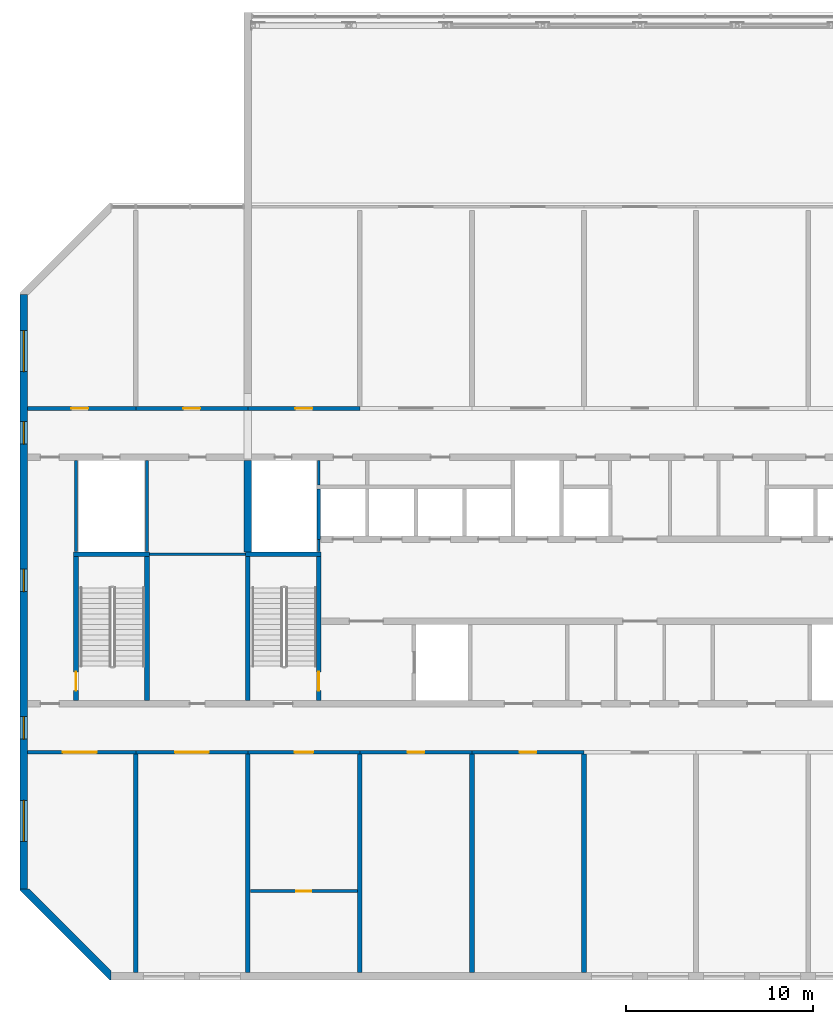
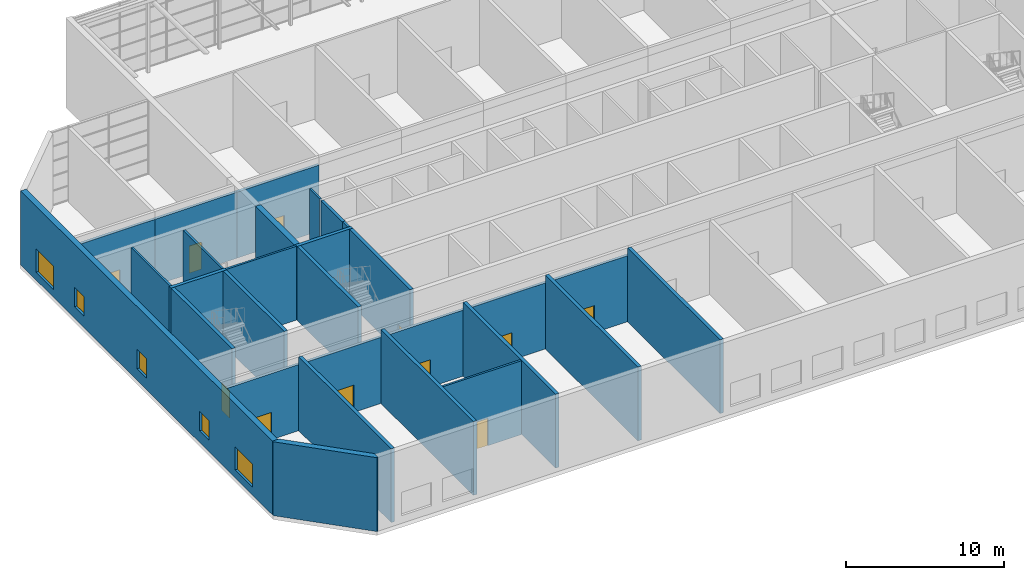
# One storey, part 10 of 17: 29 walls, 11 doors, 5 windows, 16 openings.
"""IFC4 building model written with IfcOpenShell, lengths in metres."""

from ifc_helpers import new_model, si_unit, direction, frame, frame_2d, origin, place, context, subcontext, project, spatial, polyline, rectangle, outline, extrude, material, layer, layer_set, type_object, element, fill, save


model = new_model("IFC4")

# Units and contexts
model_context = context("Model", 3, precision=1e-05, world=origin(), true_north=direction((0.0, 1.0)))
body_context = subcontext(model_context, "Body", "Model", "MODEL_VIEW")
ifc_project = project(units=[si_unit("LENGTHUNIT", "METRE"), si_unit("AREAUNIT", "SQUARE_METRE"), si_unit("VOLUMEUNIT", "CUBIC_METRE"), si_unit("PLANEANGLEUNIT", "RADIAN"), si_unit("MASSUNIT", "GRAM", prefix="KILO")], contexts=[model_context])

# Site, building, storey
site_placement = place(None, origin())
site = spatial("IfcSite", under=ifc_project, at=site_placement, CompositionType="ELEMENT")
building_placement = place(site_placement, origin())
building = spatial("IfcBuilding", under=site, at=building_placement, Name="Poui Terraces", CompositionType="ELEMENT")
storey_placement = place(building_placement, frame((0.0, 0.0, 261.0)))
storey = spatial("IfcBuildingStorey", under=building, at=storey_placement, Name="L73", CompositionType="ELEMENT", Elevation=261.0)

# Wall
ifc_material_1 = material(Name="Concrete 50 MPa", Category="concrete")
ifc_layer_1 = layer(ifc_material_1, 0.39990234375)
ifc_layer_set_1 = layer_set([ifc_layer_1], Name="Concrete 50 MPa")
wall_type_1 = type_object("IfcWallType", Name="CORE WALL 400 50 MPA", PredefinedType="SOLIDWALL", material=ifc_layer_set_1)
wall_1_placement = place(storey_placement, frame((30.0, 22.72509765625, 0.0), z_axis=(0.0, 0.0, 1.0), x_axis=(0.0, 1.0, 0.0)))
element("IfcWall", 1, at=wall_1_placement, inside=storey, type_object=wall_type_1, Name="CORE WALL", PredefinedType="SOLIDWALL", context=body_context, shape_type="SweptSolid", body=[
    extrude(rectangle(XDim=4.89990234375, YDim=0.39990234375, at=frame_2d((2.449951171875, 0.0))), origin(), (0.0, 0.0, 1.0), 5.699951171875),
])

# Wall, opening, door
ifc_layer_2 = layer(ifc_material_1, 0.199951171875)
ifc_layer_set_2 = layer_set([ifc_layer_2], Name="Concrete 50 MPa")
wall_type_2 = type_object("IfcWallType", Name="CORRIDOR WALL 200 50MPa", PredefinedType="SHEAR", material=ifc_layer_set_2)
wall_2_placement = place(storey_placement, frame((18.199951171875, 12.0, 0.0), z_axis=(0.0, 0.0, 1.0), x_axis=(1.0, 0.0, 0.0)))
wall_2 = element("IfcWall", 2, at=wall_2_placement, inside=storey, type_object=wall_type_2, Name="CORRIDOR WALL LINE B BAY 1", PredefinedType="SHEAR", context=body_context, shape_type="SweptSolid", body=[
    extrude(rectangle(XDim=5.800048828125, YDim=0.199951171875, at=frame_2d((2.89990234375, 0.0))), origin(), (0.0, 0.0, 1.0), 5.10009765625),
])
opening_1_placement = place(wall_2_placement, frame((1.89990234375, 0.0, 0.0)))
opening_1 = element("IfcOpeningElement", 3, at=opening_1_placement, cuts=wall_2, Name="Opening DD180", PredefinedType="OPENING", context=body_context, shape_type="SweptSolid", body=[
    extrude(rectangle(XDim=1.800048828125, YDim=2.10009765625, at=frame_2d((0.89990234375, 1.050048828125))), frame((0.0, 0.10986328125, 0.0), z_axis=(0.0, -1.0, 0.0), x_axis=(1.0, 0.0, 0.0)), (0.0, 0.0, 1.0), 0.219970703125),
])
ifc_material_2 = material(Name="Steel fire door", Category="steel")
door_type_1 = type_object("IfcDoorType", Name="DOUBLE INTERNAL DOOR 1800 X 2100", OperationType="DOUBLE_DOOR_SINGLE_SWING", PredefinedType="DOOR", material=ifc_material_2)
door_1_placement = place(opening_1_placement, origin())
door_1 = element("IfcDoor", 4, at=door_1_placement, inside=storey, type_object=door_type_1, Name="DOUBLE INTERNAL DOOR 030", OperationType="DOUBLE_DOOR_SINGLE_SWING", OverallHeight=2.10009765625, OverallWidth=1.800048828125, PredefinedType="DOOR", context=body_context, shape_type="SweptSolid", body=[
    extrude(rectangle(XDim=1.800048828125, YDim=2.10009765625, at=frame_2d((0.89990234375, 1.050048828125))), frame((0.0, 0.02490234375, 0.0), z_axis=(0.0, -1.0, 0.0), x_axis=(1.0, 0.0, 0.0)), (0.0, 0.0, 1.0), 0.050048828125),
])
fill(opening_1, door_1)

wall_3_placement = place(storey_placement, frame((24.0, 12.0, 0.0), z_axis=(0.0, 0.0, 1.0), x_axis=(1.0, 0.0, 0.0)))
wall_3 = element("IfcWall", 5, at=wall_3_placement, inside=storey, type_object=wall_type_2, Name="CORRIDOR WALL LINE B BAY 2", PredefinedType="SHEAR", context=body_context, shape_type="SweptSolid", body=[
    extrude(rectangle(XDim=6.0, YDim=0.199951171875, at=frame_2d((3.0, 0.0))), origin(), (0.0, 0.0, 1.0), 5.10009765625),
])
opening_2_placement = place(wall_3_placement, frame((2.10009765625, 0.0, 0.0)))
opening_2 = element("IfcOpeningElement", 6, at=opening_2_placement, cuts=wall_3, Name="Opening DD180", PredefinedType="OPENING", context=body_context, shape_type="SweptSolid", body=[
    extrude(rectangle(XDim=1.800048828125, YDim=2.10009765625, at=frame_2d((0.89990234375, 1.050048828125))), frame((0.0, 0.10986328125, 0.0), z_axis=(0.0, -1.0, 0.0), x_axis=(1.0, 0.0, 0.0)), (0.0, 0.0, 1.0), 0.219970703125),
])
door_2_placement = place(opening_2_placement, origin())
door_2 = element("IfcDoor", 7, at=door_2_placement, inside=storey, type_object=door_type_1, Name="DOUBLE INTERNAL DOOR 031", OperationType="DOUBLE_DOOR_SINGLE_SWING", OverallHeight=2.10009765625, OverallWidth=1.800048828125, PredefinedType="DOOR", context=body_context, shape_type="SweptSolid", body=[
    extrude(rectangle(XDim=1.800048828125, YDim=2.10009765625, at=frame_2d((0.89990234375, 1.050048828125))), frame((0.0, 0.02490234375, 0.0), z_axis=(0.0, -1.0, 0.0), x_axis=(1.0, 0.0, 0.0)), (0.0, 0.0, 1.0), 0.050048828125),
])
fill(opening_2, door_2)

wall_4_placement = place(storey_placement, frame((30.0, 12.0, 0.0), z_axis=(0.0, 0.0, 1.0), x_axis=(1.0, 0.0, 0.0)))
wall_4 = element("IfcWall", 8, at=wall_4_placement, inside=storey, type_object=wall_type_2, Name="CORRIDOR WALL LINE B BAY 3", PredefinedType="SHEAR", context=body_context, shape_type="SweptSolid", body=[
    extrude(rectangle(XDim=6.0, YDim=0.199951171875, at=frame_2d((3.0, 0.0))), origin(), (0.0, 0.0, 1.0), 5.10009765625),
])
opening_3_placement = place(wall_4_placement, frame((2.5, 0.0, 0.0)))
opening_3 = element("IfcOpeningElement", 9, at=opening_3_placement, cuts=wall_4, Name="Opening D100", PredefinedType="OPENING", context=body_context, shape_type="SweptSolid", body=[
    extrude(rectangle(XDim=1.0, YDim=2.10009765625, at=frame_2d((0.5, 1.050048828125))), frame((0.0, 0.10986328125, 0.0), z_axis=(0.0, -1.0, 0.0), x_axis=(1.0, 0.0, 0.0)), (0.0, 0.0, 1.0), 0.219970703125),
])
ifc_material_3 = material(Name="Solid core timber door", Category="wood")
door_type_2 = type_object("IfcDoorType", Name="ACCESSIBLE INTERNAL DOOR 1000 X 2100", OperationType="NOTDEFINED", PredefinedType="DOOR", material=ifc_material_3)
door_3_placement = place(opening_3_placement, origin())
door_3 = element("IfcDoor", 10, at=door_3_placement, inside=storey, type_object=door_type_2, Name="ACCESSIBLE INTERNAL DOOR 034", OperationType="SINGLE_SWING_RIGHT", OverallHeight=2.10009765625, OverallWidth=1.0, PredefinedType="DOOR", context=body_context, shape_type="SweptSolid", body=[
    extrude(rectangle(XDim=1.0, YDim=2.10009765625, at=frame_2d((0.5, 1.050048828125))), frame((0.0, 0.02490234375, 0.0), z_axis=(0.0, -1.0, 0.0), x_axis=(1.0, 0.0, 0.0)), (0.0, 0.0, 1.0), 0.050048828125),
])
fill(opening_3, door_3)

wall_5_placement = place(storey_placement, frame((36.0, 12.0, 0.0), z_axis=(0.0, 0.0, 1.0), x_axis=(1.0, 0.0, 0.0)))
wall_5 = element("IfcWall", 11, at=wall_5_placement, inside=storey, type_object=wall_type_2, Name="CORRIDOR WALL LINE B BAY 4", PredefinedType="SHEAR", context=body_context, shape_type="SweptSolid", body=[
    extrude(rectangle(XDim=6.0, YDim=0.199951171875, at=frame_2d((3.0, 0.0))), origin(), (0.0, 0.0, 1.0), 5.10009765625),
])
opening_4_placement = place(wall_5_placement, frame((2.550048828125, 0.0, 0.0)))
opening_4 = element("IfcOpeningElement", 12, at=opening_4_placement, cuts=wall_5, Name="Opening D90", PredefinedType="OPENING", context=body_context, shape_type="SweptSolid", body=[
    extrude(rectangle(XDim=0.89990234375, YDim=2.10009765625, at=frame_2d((0.449951171875, 1.050048828125))), frame((0.0, 0.10986328125, 0.0), z_axis=(0.0, -1.0, 0.0), x_axis=(1.0, 0.0, 0.0)), (0.0, 0.0, 1.0), 0.219970703125),
])
door_type_3 = type_object("IfcDoorType", Name="INTERNAL DOOR 900 X 2100", OperationType="NOTDEFINED", PredefinedType="DOOR", material=ifc_material_3)
door_4_placement = place(opening_4_placement, origin())
door_4 = element("IfcDoor", 13, at=door_4_placement, inside=storey, type_object=door_type_3, Name="INTERNAL DOOR 035", OperationType="SINGLE_SWING_LEFT", OverallHeight=2.10009765625, OverallWidth=0.89990234375, PredefinedType="DOOR", context=body_context, shape_type="SweptSolid", body=[
    extrude(rectangle(XDim=0.89990234375, YDim=2.10009765625, at=frame_2d((0.449951171875, 1.050048828125))), frame((0.0, 0.02490234375, 0.0), z_axis=(0.0, -1.0, 0.0), x_axis=(1.0, 0.0, 0.0)), (0.0, 0.0, 1.0), 0.050048828125),
])
fill(opening_4, door_4)

wall_6_placement = place(storey_placement, frame((42.0, 12.0, 0.0), z_axis=(0.0, 0.0, 1.0), x_axis=(1.0, 0.0, 0.0)))
wall_6 = element("IfcWall", 14, at=wall_6_placement, inside=storey, type_object=wall_type_2, Name="CORRIDOR WALL LINE B BAY 5", PredefinedType="SHEAR", context=body_context, shape_type="SweptSolid", body=[
    extrude(rectangle(XDim=6.0, YDim=0.199951171875, at=frame_2d((3.0, 0.0))), origin(), (0.0, 0.0, 1.0), 5.10009765625),
])
opening_5_placement = place(wall_6_placement, frame((2.550048828125, 0.0, 0.0)))
opening_5 = element("IfcOpeningElement", 15, at=opening_5_placement, cuts=wall_6, Name="Opening D90", PredefinedType="OPENING", context=body_context, shape_type="SweptSolid", body=[
    extrude(rectangle(XDim=0.89990234375, YDim=2.10009765625, at=frame_2d((0.449951171875, 1.050048828125))), frame((0.0, 0.10986328125, 0.0), z_axis=(0.0, -1.0, 0.0), x_axis=(1.0, 0.0, 0.0)), (0.0, 0.0, 1.0), 0.219970703125),
])
door_5_placement = place(opening_5_placement, origin())
door_5 = element("IfcDoor", 16, at=door_5_placement, inside=storey, type_object=door_type_3, Name="INTERNAL DOOR 037", OperationType="SINGLE_SWING_RIGHT", OverallHeight=2.10009765625, OverallWidth=0.89990234375, PredefinedType="DOOR", context=body_context, shape_type="SweptSolid", body=[
    extrude(rectangle(XDim=0.89990234375, YDim=2.10009765625, at=frame_2d((0.449951171875, 1.050048828125))), frame((0.0, 0.02490234375, 0.0), z_axis=(0.0, -1.0, 0.0), x_axis=(1.0, 0.0, 0.0)), (0.0, 0.0, 1.0), 0.050048828125),
])
fill(opening_5, door_5)

wall_7_placement = place(storey_placement, frame((18.199951171875, 30.39990234375, 0.0), z_axis=(0.0, 0.0, 1.0), x_axis=(1.0, 0.0, 0.0)))
wall_7 = element("IfcWall", 17, at=wall_7_placement, inside=storey, type_object=wall_type_2, Name="CORRIDOR WALL LINE E BAY 1", PredefinedType="SHEAR", context=body_context, shape_type="SweptSolid", body=[
    extrude(rectangle(XDim=5.800048828125, YDim=0.199951171875, at=frame_2d((2.89990234375, 0.0))), origin(), (0.0, 0.0, 1.0), 5.10009765625),
])
opening_6_placement = place(wall_7_placement, frame((2.35009765625, 0.0, 0.0)))
opening_6 = element("IfcOpeningElement", 18, at=opening_6_placement, cuts=wall_7, Name="Opening D90", PredefinedType="OPENING", context=body_context, shape_type="SweptSolid", body=[
    extrude(rectangle(XDim=0.89990234375, YDim=2.10009765625, at=frame_2d((0.449951171875, 1.050048828125))), frame((0.0, 0.10986328125, 0.0), z_axis=(0.0, -1.0, 0.0), x_axis=(1.0, 0.0, 0.0)), (0.0, 0.0, 1.0), 0.219970703125),
])
door_6_placement = place(opening_6_placement, frame((0.89990234375, 0.0, 0.0), z_axis=(0.0, 0.0, 1.0), x_axis=(-1.0, 0.0, 0.0)))
door_6 = element("IfcDoor", 19, at=door_6_placement, inside=storey, type_object=door_type_3, Name="INTERNAL DOOR 002", OperationType="SINGLE_SWING_LEFT", OverallHeight=2.10009765625, OverallWidth=0.89990234375, PredefinedType="DOOR", context=body_context, shape_type="SweptSolid", body=[
    extrude(rectangle(XDim=0.89990234375, YDim=2.10009765625, at=frame_2d((0.449951171875, 1.050048828125))), frame((0.0, 0.02490234375, 0.0), z_axis=(0.0, -1.0, 0.0), x_axis=(1.0, 0.0, 0.0)), (0.0, 0.0, 1.0), 0.050048828125),
])
fill(opening_6, door_6)

wall_8_placement = place(storey_placement, frame((24.0, 30.39990234375, 0.0), z_axis=(0.0, 0.0, 1.0), x_axis=(1.0, 0.0, 0.0)))
wall_8 = element("IfcWall", 20, at=wall_8_placement, inside=storey, type_object=wall_type_2, Name="CORRIDOR WALL LINE E BAY 2", PredefinedType="SHEAR", context=body_context, shape_type="SweptSolid", body=[
    extrude(rectangle(XDim=6.0, YDim=0.199951171875, at=frame_2d((3.0, 0.0))), origin(), (0.0, 0.0, 1.0), 5.10009765625),
])
opening_7_placement = place(wall_8_placement, frame((2.550048828125, 0.0, 0.0)))
opening_7 = element("IfcOpeningElement", 21, at=opening_7_placement, cuts=wall_8, Name="Opening D90", PredefinedType="OPENING", context=body_context, shape_type="SweptSolid", body=[
    extrude(rectangle(XDim=0.89990234375, YDim=2.10009765625, at=frame_2d((0.449951171875, 1.050048828125))), frame((0.0, 0.10986328125, 0.0), z_axis=(0.0, -1.0, 0.0), x_axis=(1.0, 0.0, 0.0)), (0.0, 0.0, 1.0), 0.219970703125),
])
door_7_placement = place(opening_7_placement, frame((0.89990234375, 0.0, 0.0), z_axis=(0.0, 0.0, 1.0), x_axis=(-1.0, 0.0, 0.0)))
door_7 = element("IfcDoor", 22, at=door_7_placement, inside=storey, type_object=door_type_3, Name="INTERNAL DOOR 004", OperationType="SINGLE_SWING_RIGHT", OverallHeight=2.10009765625, OverallWidth=0.89990234375, PredefinedType="DOOR", context=body_context, shape_type="SweptSolid", body=[
    extrude(rectangle(XDim=0.89990234375, YDim=2.10009765625, at=frame_2d((0.449951171875, 1.050048828125))), frame((0.0, 0.02490234375, 0.0), z_axis=(0.0, -1.0, 0.0), x_axis=(1.0, 0.0, 0.0)), (0.0, 0.0, 1.0), 0.050048828125),
])
fill(opening_7, door_7)

wall_9_placement = place(storey_placement, frame((30.0, 30.39990234375, 0.0), z_axis=(0.0, 0.0, 1.0), x_axis=(1.0, 0.0, 0.0)))
wall_9 = element("IfcWall", 23, at=wall_9_placement, inside=storey, type_object=wall_type_2, Name="CORRIDOR WALL LINE E BAY 3", PredefinedType="SHEAR", context=body_context, shape_type="SweptSolid", body=[
    extrude(rectangle(XDim=6.0, YDim=0.199951171875, at=frame_2d((3.0, 0.0))), origin(), (0.0, 0.0, 1.0), 5.10009765625),
])
opening_8_placement = place(wall_9_placement, frame((2.550048828125, 0.0, 0.0)))
opening_8 = element("IfcOpeningElement", 24, at=opening_8_placement, cuts=wall_9, Name="Opening D90", PredefinedType="OPENING", context=body_context, shape_type="SweptSolid", body=[
    extrude(rectangle(XDim=0.89990234375, YDim=2.10009765625, at=frame_2d((0.449951171875, 1.050048828125))), frame((0.0, 0.10986328125, 0.0), z_axis=(0.0, -1.0, 0.0), x_axis=(1.0, 0.0, 0.0)), (0.0, 0.0, 1.0), 0.219970703125),
])
door_8_placement = place(opening_8_placement, frame((0.89990234375, 0.0, 0.0), z_axis=(0.0, 0.0, 1.0), x_axis=(-1.0, 0.0, 0.0)))
door_8 = element("IfcDoor", 25, at=door_8_placement, inside=storey, type_object=door_type_3, Name="INTERNAL DOOR 007", OperationType="SINGLE_SWING_LEFT", OverallHeight=2.10009765625, OverallWidth=0.89990234375, PredefinedType="DOOR", context=body_context, shape_type="SweptSolid", body=[
    extrude(rectangle(XDim=0.89990234375, YDim=2.10009765625, at=frame_2d((0.449951171875, 1.050048828125))), frame((0.0, 0.02490234375, 0.0), z_axis=(0.0, -1.0, 0.0), x_axis=(1.0, 0.0, 0.0)), (0.0, 0.0, 1.0), 0.050048828125),
])
fill(opening_8, door_8)

# Walls
ifc_layer_3 = layer(ifc_material_1, 0.25)
ifc_layer_set_3 = layer_set([ifc_layer_3], Name="Concrete 50 MPa")
wall_type_3 = type_object("IfcWallType", Name="CROSS WALL 250 50MPa", PredefinedType="SHEAR", material=ifc_layer_set_3)
for number, where, z_axis, x_axis, name in (
    (26, (24.0, 0.199951171875, 0.0), (0.0, 0.0, 1.0), (0.0, 1.0, 0.0), "CROSS WALL LINE 5 SOUTH"),
    (27, (30.0, 0.199951171875, 0.0), (0.0, 0.0, 1.0), (0.0, 1.0, 0.0), "CROSS WALL LINE 6 SOUTH"),
    (28, (36.0, 0.199951171875, 0.0), (0.0, 0.0, 1.0), (0.0, 1.0, 0.0), "CROSS WALL LINE 7 SOUTH"),
    (29, (42.0, 0.199951171875, 0.0), (0.0, 0.0, 1.0), (0.0, 1.0, 0.0), "CROSS WALL LINE 8 SOUTH"),
    (30, (48.0, 0.199951171875, 0.0), (0.0, 0.0, 1.0), (0.0, 1.0, 0.0), "CROSS WALL LINE 9 SOUTH"),
):
    element("IfcWall", number, at=place(storey_placement, frame(where, z_axis=z_axis, x_axis=x_axis)), inside=storey, type_object=wall_type_3, Name=name, PredefinedType="SHEAR", context=body_context, shape_type="SweptSolid", body=[
        extrude(rectangle(XDim=11.699951171875, YDim=0.25, at=frame_2d((5.85009765625, 0.0))), origin(), (0.0, 0.0, 1.0), 5.699951171875),
    ])

# Wall, openings, windows
ifc_layer_4 = layer(ifc_material_1, 0.39990234375)
ifc_layer_set_4 = layer_set([ifc_layer_4], Name="Concrete 50 MPa")
wall_type_4 = type_object("IfcWallType", Name="END WALL 400 50MPa", PredefinedType="SHEAR", material=ifc_layer_set_4)
wall_10_placement = place(storey_placement, frame((18.0, 4.682861328125, 0.0), z_axis=(0.0, 0.0, 1.0), x_axis=(0.0, 1.0, 0.0)))
wall_10 = element("IfcWall", 31, at=wall_10_placement, inside=storey, type_object=wall_type_4, Name="END WALL WEST", PredefinedType="SHEAR", context=body_context, shape_type="SweptSolid", body=[
    extrude(rectangle(XDim=31.834228515625, YDim=0.39990234375, at=frame_2d((15.9169921875, 0.0))), origin(), (0.0, 0.0, 1.0), 5.699951171875),
])
opening_9_placement = place(wall_10_placement, frame((23.817138671875, 0.0, 0.89990234375)))
opening_9 = element("IfcOpeningElement", 32, at=opening_9_placement, cuts=wall_10, Name="Opening W2", PredefinedType="OPENING", context=body_context, shape_type="SweptSolid", body=[
    extrude(rectangle(XDim=1.199951171875, YDim=1.5, at=frame_2d((0.60009765625, 0.75))), frame((0.0, 0.2099609375, 0.0), z_axis=(0.0, -1.0, 0.0), x_axis=(1.0, 0.0, 0.0)), (0.0, 0.0, 1.0), 0.419921875),
])
opening_10_placement = place(wall_10_placement, frame((8.01708984375, 0.0, 0.89990234375)))
opening_10 = element("IfcOpeningElement", 33, at=opening_10_placement, cuts=wall_10, Name="Opening W2", PredefinedType="OPENING", context=body_context, shape_type="SweptSolid", body=[
    extrude(rectangle(XDim=1.199951171875, YDim=1.5, at=frame_2d((0.60009765625, 0.75))), frame((0.0, 0.2099609375, 0.0), z_axis=(0.0, -1.0, 0.0), x_axis=(1.0, 0.0, 0.0)), (0.0, 0.0, 1.0), 0.419921875),
])
opening_11_placement = place(wall_10_placement, frame((27.693603515625, 0.0, 0.60009765625)))
opening_11 = element("IfcOpeningElement", 34, at=opening_11_placement, cuts=wall_10, Name="Opening W3", PredefinedType="OPENING", context=body_context, shape_type="SweptSolid", body=[
    extrude(rectangle(XDim=2.199951171875, YDim=1.800048828125, at=frame_2d((1.10009765625, 0.89990234375))), frame((0.0, 0.2099609375, 0.0), z_axis=(0.0, -1.0, 0.0), x_axis=(1.0, 0.0, 0.0)), (0.0, 0.0, 1.0), 0.419921875),
])
opening_12_placement = place(wall_10_placement, frame((2.541015625, 0.0, 0.60009765625)))
opening_12 = element("IfcOpeningElement", 35, at=opening_12_placement, cuts=wall_10, Name="Opening W3", PredefinedType="OPENING", context=body_context, shape_type="SweptSolid", body=[
    extrude(rectangle(XDim=2.199951171875, YDim=1.800048828125, at=frame_2d((1.10009765625, 0.89990234375))), frame((0.0, 0.2099609375, 0.0), z_axis=(0.0, -1.0, 0.0), x_axis=(1.0, 0.0, 0.0)), (0.0, 0.0, 1.0), 0.419921875),
])
opening_13_placement = place(wall_10_placement, frame((15.917236328125, 0.0, 0.89990234375)))
opening_13 = element("IfcOpeningElement", 36, at=opening_13_placement, cuts=wall_10, Name="Opening W2", PredefinedType="OPENING", context=body_context, shape_type="SweptSolid", body=[
    extrude(rectangle(XDim=1.199951171875, YDim=1.5, at=frame_2d((0.60009765625, 0.75))), frame((0.0, 0.2099609375, 0.0), z_axis=(0.0, -1.0, 0.0), x_axis=(1.0, 0.0, 0.0)), (0.0, 0.0, 1.0), 0.419921875),
])
ifc_material_4 = material(Name="Clear glass in aluminium frame", Category="aluminium")
window_type_1 = type_object("IfcWindowType", Name="WINDOW 1200X1500", PartitioningType="SINGLE_PANEL", PredefinedType="WINDOW", material=ifc_material_4)
window_1_placement = place(opening_9_placement, origin())
window_1 = element("IfcWindow", 37, at=window_1_placement, inside=storey, type_object=window_type_1, Name="W2 WINDOW", OverallHeight=1.5, OverallWidth=1.199951171875, PartitioningType="SINGLE_PANEL", PredefinedType="WINDOW", context=body_context, shape_type="SweptSolid", body=[
    extrude(rectangle(XDim=1.199951171875, YDim=1.5, at=frame_2d((0.60009765625, 0.75))), frame((0.0, 0.030029296875, 0.0), z_axis=(0.0, -1.0, 0.0), x_axis=(1.0, 0.0, 0.0)), (0.0, 0.0, 1.0), 0.06005859375),
])
fill(opening_9, window_1)
window_2_placement = place(opening_10_placement, origin())
window_2 = element("IfcWindow", 38, at=window_2_placement, inside=storey, type_object=window_type_1, Name="W2 WINDOW", OverallHeight=1.5, OverallWidth=1.199951171875, PartitioningType="SINGLE_PANEL", PredefinedType="WINDOW", context=body_context, shape_type="SweptSolid", body=[
    extrude(rectangle(XDim=1.199951171875, YDim=1.5, at=frame_2d((0.60009765625, 0.75))), frame((0.0, 0.030029296875, 0.0), z_axis=(0.0, -1.0, 0.0), x_axis=(1.0, 0.0, 0.0)), (0.0, 0.0, 1.0), 0.06005859375),
])
fill(opening_10, window_2)
window_3_placement = place(opening_13_placement, origin())
window_3 = element("IfcWindow", 39, at=window_3_placement, inside=storey, type_object=window_type_1, Name="W2 WINDOW", OverallHeight=1.5, OverallWidth=1.199951171875, PartitioningType="SINGLE_PANEL", PredefinedType="WINDOW", context=body_context, shape_type="SweptSolid", body=[
    extrude(rectangle(XDim=1.199951171875, YDim=1.5, at=frame_2d((0.60009765625, 0.75))), frame((0.0, 0.030029296875, 0.0), z_axis=(0.0, -1.0, 0.0), x_axis=(1.0, 0.0, 0.0)), (0.0, 0.0, 1.0), 0.06005859375),
])
fill(opening_13, window_3)
window_type_2 = type_object("IfcWindowType", Name="WINDOW 2200X1800", PartitioningType="DOUBLE_PANEL_HORIZONTAL", PredefinedType="WINDOW", material=ifc_material_4)
window_4_placement = place(opening_11_placement, origin())
window_4 = element("IfcWindow", 40, at=window_4_placement, inside=storey, type_object=window_type_2, Name="W3 WINDOW", OverallHeight=1.800048828125, OverallWidth=2.199951171875, PartitioningType="DOUBLE_PANEL_HORIZONTAL", PredefinedType="WINDOW", context=body_context, shape_type="SweptSolid", body=[
    extrude(rectangle(XDim=2.199951171875, YDim=1.800048828125, at=frame_2d((1.10009765625, 0.89990234375))), frame((0.0, 0.030029296875, 0.0), z_axis=(0.0, -1.0, 0.0), x_axis=(1.0, 0.0, 0.0)), (0.0, 0.0, 1.0), 0.06005859375),
])
fill(opening_11, window_4)
window_5_placement = place(opening_12_placement, origin())
window_5 = element("IfcWindow", 41, at=window_5_placement, inside=storey, type_object=window_type_2, Name="W3 WINDOW", OverallHeight=1.800048828125, OverallWidth=2.199951171875, PartitioningType="DOUBLE_PANEL_HORIZONTAL", PredefinedType="WINDOW", context=body_context, shape_type="SweptSolid", body=[
    extrude(rectangle(XDim=2.199951171875, YDim=1.800048828125, at=frame_2d((1.10009765625, 0.89990234375))), frame((0.0, 0.030029296875, 0.0), z_axis=(0.0, -1.0, 0.0), x_axis=(1.0, 0.0, 0.0)), (0.0, 0.0, 1.0), 0.06005859375),
])
fill(opening_12, window_5)

# Wall, opening, door
ifc_material_5 = material(Name="Plasterboard partition")
ifc_layer_5 = layer(ifc_material_5, 0.14990234375)
ifc_layer_set_5 = layer_set([ifc_layer_5], Name="Plasterboard partition")
wall_type_5 = type_object("IfcWallType", Name="PARTITION WALL 150", PredefinedType="PARTITIONING", material=ifc_layer_set_5)
wall_11_placement = place(storey_placement, frame((30.135009765625, 4.56005859375, 0.0), z_axis=(0.0, 0.0, 1.0), x_axis=(1.0, 0.0, 0.0)))
wall_11 = element("IfcWall", 42, at=wall_11_placement, inside=storey, type_object=wall_type_5, Name="PARTITION WALL 150", PredefinedType="PARTITIONING", context=body_context, shape_type="SweptSolid", body=[
    extrude(rectangle(XDim=5.72998046875, YDim=0.14990234375, at=frame_2d((2.864990234375, 0.0))), origin(), (0.0, 0.0, 1.0), 5.699951171875),
])
opening_14_placement = place(wall_11_placement, frame((2.465087890625, 0.0, 0.0)))
opening_14 = element("IfcOpeningElement", 43, at=opening_14_placement, cuts=wall_11, Name="Opening D80", PredefinedType="OPENING", context=body_context, shape_type="SweptSolid", body=[
    extrude(rectangle(XDim=0.800048828125, YDim=2.10009765625, at=frame_2d((0.39990234375, 1.050048828125))), frame((0.0, 0.0849609375, 0.0), z_axis=(0.0, -1.0, 0.0), x_axis=(1.0, 0.0, 0.0)), (0.0, 0.0, 1.0), 0.169921875),
])
door_type_4 = type_object("IfcDoorType", Name="BATHROOM, LAUNDRY AND STORE DOOR 800 X 2100", OperationType="NOTDEFINED", PredefinedType="DOOR", material=ifc_material_3)
door_9_placement = place(opening_14_placement, origin())
door_9 = element("IfcDoor", 44, at=door_9_placement, inside=storey, type_object=door_type_4, Name="BATHROOM, LAUNDRY AND STORE DOOR 056", OperationType="SINGLE_SWING_RIGHT", OverallHeight=2.10009765625, OverallWidth=0.800048828125, PredefinedType="DOOR", context=body_context, shape_type="SweptSolid", body=[
    extrude(rectangle(XDim=0.800048828125, YDim=2.10009765625, at=frame_2d((0.39990234375, 1.050048828125))), frame((0.0, 0.02490234375, 0.0), z_axis=(0.0, -1.0, 0.0), x_axis=(1.0, 0.0, 0.0)), (0.0, 0.0, 1.0), 0.050048828125),
])
fill(opening_14, door_9)

# Walls
wall_12_placement = place(storey_placement, frame((24.735107421875, 22.60009765625, 0.0), z_axis=(0.0, 0.0, 1.0), x_axis=(1.0, 0.0, 0.0)))
element("IfcWall", 45, at=wall_12_placement, inside=storey, type_object=wall_type_5, Name="PARTITION WALL 150", PredefinedType="PARTITIONING", context=body_context, shape_type="SweptSolid", body=[
    extrude(rectangle(XDim=5.1298828125, YDim=0.14990234375, at=frame_2d((2.56494140625, 0.0))), origin(), (0.0, 0.0, 1.0), 5.699951171875),
])
ifc_material_6 = material(Name="Fire-rated plasterboard riser wall")
ifc_layer_6 = layer(ifc_material_6, 0.14990234375)
ifc_layer_set_6 = layer_set([ifc_layer_6], Name="Fire-rated plasterboard riser wall")
wall_type_6 = type_object("IfcWallType", Name="RISER WALL 150", PredefinedType="PARTITIONING", material=ifc_layer_set_6)
for number, where, z_axis, x_axis, name in (
    (46, (20.800048828125, 22.735107421875, 0.0), (0.0, 0.0, 1.0), (0.0, 1.0, 0.0), "RISER WALL 150"),
    (47, (24.60009765625, 22.735107421875, 0.0), (0.0, 0.0, 1.0), (0.0, 1.0, 0.0), "RISER WALL 150"),
):
    element("IfcWall", number, at=place(storey_placement, frame(where, z_axis=z_axis, x_axis=x_axis)), inside=storey, type_object=wall_type_6, Name=name, PredefinedType="PARTITIONING", context=body_context, shape_type="SweptSolid", body=[
        extrude(rectangle(XDim=4.8798828125, YDim=0.14990234375, at=frame_2d((2.43994140625, 0.0))), origin(), (0.0, 0.0, 1.0), 5.699951171875),
    ])
wall_13_placement = place(storey_placement, frame((33.800048828125, 22.735107421875, 0.0), z_axis=(0.0, 0.0, 1.0), x_axis=(0.0, 1.0, 0.0)))
element("IfcWall", 48, at=wall_13_placement, inside=storey, type_object=wall_type_6, Name="RISER WALL 150", PredefinedType="PARTITIONING", context=body_context, shape_type="SweptSolid", body=[
    extrude(rectangle(XDim=0.664794921875, YDim=0.14990234375, at=frame_2d((0.33251953125, 0.0))), origin(), (0.0, 0.0, 1.0), 5.699951171875),
])
wall_14_placement = place(storey_placement, frame((33.800048828125, 26.300048828125, 0.0), z_axis=(0.0, 0.0, 1.0), x_axis=(0.0, 1.0, 0.0)))
element("IfcWall", 49, at=wall_14_placement, inside=storey, type_object=wall_type_6, Name="RISER WALL 150", PredefinedType="PARTITIONING", context=body_context, shape_type="SweptSolid", body=[
    extrude(rectangle(XDim=1.31494140625, YDim=0.14990234375, at=frame_2d((0.657470703125, 0.0))), origin(), (0.0, 0.0, 1.0), 5.699951171875),
])
ifc_material_7 = material(Name="Fire-rated masonry shaft wall", Category="masonry")
ifc_layer_7 = layer(ifc_material_7, 0.199951171875)
ifc_layer_set_7 = layer_set([ifc_layer_7], Name="Fire-rated masonry shaft wall")
wall_type_7 = type_object("IfcWallType", Name="SHAFT WALL 200", PredefinedType="PARTITIONING", material=ifc_layer_set_7)
wall_15_placement = place(storey_placement, frame((33.800048828125, 23.39990234375, 0.0), z_axis=(0.0, 0.0, 1.0), x_axis=(0.0, 1.0, 0.0)))
element("IfcWall", 50, at=wall_15_placement, inside=storey, type_object=wall_type_7, Name="SHAFT WALL 200", PredefinedType="PARTITIONING", context=body_context, shape_type="SweptSolid", body=[
    extrude(rectangle(XDim=2.7001953125, YDim=0.199951171875, at=frame_2d((1.35009765625, 0.0))), origin(), (0.0, 0.0, 1.0), 5.699951171875),
])
ifc_layer_8 = layer(ifc_material_1, 0.25)
ifc_layer_set_8 = layer_set([ifc_layer_8], Name="Concrete 50 MPa")
wall_type_8 = type_object("IfcWallType", Name="STAIR CORE WALL 250 50 MPA", PredefinedType="SOLIDWALL", material=ifc_layer_set_8)
wall_16_placement = place(storey_placement, frame((30.0, 14.77490234375, 0.0), z_axis=(0.0, 0.0, 1.0), x_axis=(0.0, 1.0, 0.0)))
element("IfcWall", 51, at=wall_16_placement, inside=storey, type_object=wall_type_8, Name="STAIR CORE WALL", PredefinedType="SOLIDWALL", context=body_context, shape_type="SweptSolid", body=[
    extrude(rectangle(XDim=7.7001953125, YDim=0.25, at=frame_2d((3.85009765625, 0.0))), origin(), (0.0, 0.0, 1.0), 5.699951171875),
])

# Wall, opening, door
wall_17_placement = place(storey_placement, frame((33.800048828125, 14.77490234375, 0.0), z_axis=(0.0, 0.0, 1.0), x_axis=(0.0, 1.0, 0.0)))
wall_17 = element("IfcWall", 52, at=wall_17_placement, inside=storey, type_object=wall_type_8, Name="STAIR CORE WALL", PredefinedType="SOLIDWALL", context=body_context, shape_type="SweptSolid", body=[
    extrude(rectangle(XDim=7.7001953125, YDim=0.25, at=frame_2d((3.85009765625, 0.0))), origin(), (0.0, 0.0, 1.0), 5.699951171875),
])
opening_15_placement = place(wall_17_placement, frame((0.52490234375, 0.0, 0.0)))
opening_15 = element("IfcOpeningElement", 53, at=opening_15_placement, cuts=wall_17, Name="Opening FD60S", PredefinedType="OPENING", context=body_context, shape_type="SweptSolid", body=[
    extrude(rectangle(XDim=1.0, YDim=2.10009765625, at=frame_2d((0.5, 1.050048828125))), frame((0.0, 0.135009765625, 0.0), z_axis=(0.0, -1.0, 0.0), x_axis=(1.0, 0.0, 0.0)), (0.0, 0.0, 1.0), 0.27001953125),
])
door_type_5 = type_object("IfcDoorType", Name="STAIR DOOR 1000 X 2100", OperationType="NOTDEFINED", PredefinedType="DOOR", material=ifc_material_2)
door_10_placement = place(opening_15_placement, origin())
door_10 = element("IfcDoor", 54, at=door_10_placement, inside=storey, type_object=door_type_5, Name="STAIR DOOR 059", OperationType="SINGLE_SWING_RIGHT", OverallHeight=2.10009765625, OverallWidth=1.0, PredefinedType="DOOR", context=body_context, shape_type="SweptSolid", body=[
    extrude(rectangle(XDim=1.0, YDim=2.10009765625, at=frame_2d((0.5, 1.050048828125))), frame((0.0, 0.02490234375, 0.0), z_axis=(0.0, -1.0, 0.0), x_axis=(1.0, 0.0, 0.0)), (0.0, 0.0, 1.0), 0.050048828125),
])
fill(opening_15, door_10)

# Wall
wall_18_placement = place(storey_placement, frame((29.875, 22.60009765625, 0.0), z_axis=(0.0, 0.0, 1.0), x_axis=(1.0, 0.0, 0.0)))
element("IfcWall", 55, at=wall_18_placement, inside=storey, type_object=wall_type_8, Name="STAIR CORE WALL", PredefinedType="SOLIDWALL", context=body_context, shape_type="SweptSolid", body=[
    extrude(rectangle(XDim=4.050048828125, YDim=0.25, at=frame_2d((2.02490234375, 0.0))), origin(), (0.0, 0.0, 1.0), 5.699951171875),
])

# Wall, opening, door
wall_19_placement = place(storey_placement, frame((20.800048828125, 14.77490234375, 0.0), z_axis=(0.0, 0.0, 1.0), x_axis=(0.0, 1.0, 0.0)))
wall_19 = element("IfcWall", 56, at=wall_19_placement, inside=storey, type_object=wall_type_8, Name="STAIR CORE WALL", PredefinedType="SOLIDWALL", context=body_context, shape_type="SweptSolid", body=[
    extrude(rectangle(XDim=7.7001953125, YDim=0.25, at=frame_2d((3.85009765625, 0.0))), origin(), (0.0, 0.0, 1.0), 5.699951171875),
])
opening_16_placement = place(wall_19_placement, frame((0.52490234375, 0.0, 0.0)))
opening_16 = element("IfcOpeningElement", 57, at=opening_16_placement, cuts=wall_19, Name="Opening FD60S", PredefinedType="OPENING", context=body_context, shape_type="SweptSolid", body=[
    extrude(rectangle(XDim=1.0, YDim=2.10009765625, at=frame_2d((0.5, 1.050048828125))), frame((0.0, 0.135009765625, 0.0), z_axis=(0.0, -1.0, 0.0), x_axis=(1.0, 0.0, 0.0)), (0.0, 0.0, 1.0), 0.27001953125),
])
door_11_placement = place(opening_16_placement, frame((1.0, 0.0, 0.0), z_axis=(0.0, 0.0, 1.0), x_axis=(-1.0, 0.0, 0.0)))
door_11 = element("IfcDoor", 58, at=door_11_placement, inside=storey, type_object=door_type_5, Name="STAIR DOOR 074", OperationType="SINGLE_SWING_LEFT", OverallHeight=2.10009765625, OverallWidth=1.0, PredefinedType="DOOR", context=body_context, shape_type="SweptSolid", body=[
    extrude(rectangle(XDim=1.0, YDim=2.10009765625, at=frame_2d((0.5, 1.050048828125))), frame((0.0, 0.02490234375, 0.0), z_axis=(0.0, -1.0, 0.0), x_axis=(1.0, 0.0, 0.0)), (0.0, 0.0, 1.0), 0.050048828125),
])
fill(opening_16, door_11)

# Walls
wall_20_placement = place(storey_placement, frame((24.60009765625, 14.77490234375, 0.0), z_axis=(0.0, 0.0, 1.0), x_axis=(0.0, 1.0, 0.0)))
element("IfcWall", 59, at=wall_20_placement, inside=storey, type_object=wall_type_8, Name="STAIR CORE WALL", PredefinedType="SOLIDWALL", context=body_context, shape_type="SweptSolid", body=[
    extrude(rectangle(XDim=7.7001953125, YDim=0.25, at=frame_2d((3.85009765625, 0.0))), origin(), (0.0, 0.0, 1.0), 5.699951171875),
])
wall_21_placement = place(storey_placement, frame((20.675048828125, 22.60009765625, 0.0), z_axis=(0.0, 0.0, 1.0), x_axis=(1.0, 0.0, 0.0)))
element("IfcWall", 60, at=wall_21_placement, inside=storey, type_object=wall_type_8, Name="STAIR CORE WALL", PredefinedType="SOLIDWALL", context=body_context, shape_type="SweptSolid", body=[
    extrude(rectangle(XDim=4.050048828125, YDim=0.25, at=frame_2d((2.02490234375, 0.0))), origin(), (0.0, 0.0, 1.0), 5.699951171875),
])
ifc_material_8 = material(Name="Precast concrete 40 MPa", Category="concrete")
ifc_layer_9 = layer(ifc_material_8, 0.39990234375)
ifc_layer_set_9 = layer_set([ifc_layer_9], Name="Precast concrete 40 MPa")
wall_type_9 = type_object("IfcWallType", Name="TERRACOTTA CLAD CHAMFER WALL 400", PredefinedType="STANDARD", material=ifc_layer_set_9)
wall_22_placement = place(storey_placement, origin())
element("IfcWall", 61, at=wall_22_placement, inside=storey, type_object=wall_type_9, Name="CHAMFER WALL CH07", PredefinedType="STANDARD", context=body_context, shape_type="SweptSolid", body=[
    extrude(outline(polyline([(17.800048828125, 4.682861328125), (17.800048828125, 4.60009765625), (22.60009765625, -0.199951171875), (22.682861328125, -0.199951171875), (22.682861328125, 0.28271484375), (18.28271484375, 4.682861328125), (17.800048828125, 4.682861328125)])), origin(), (0.0, 0.0, 1.0), 5.699951171875),
])

save(model, "model.ifc")
